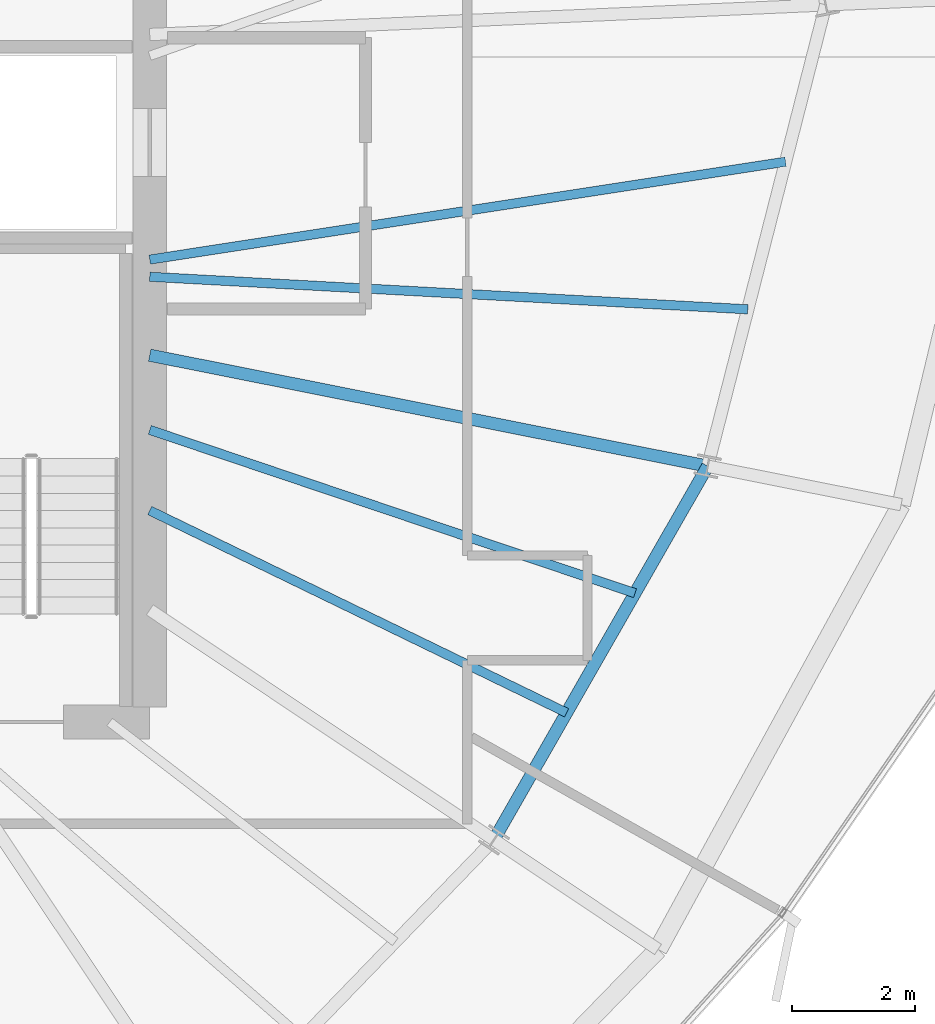
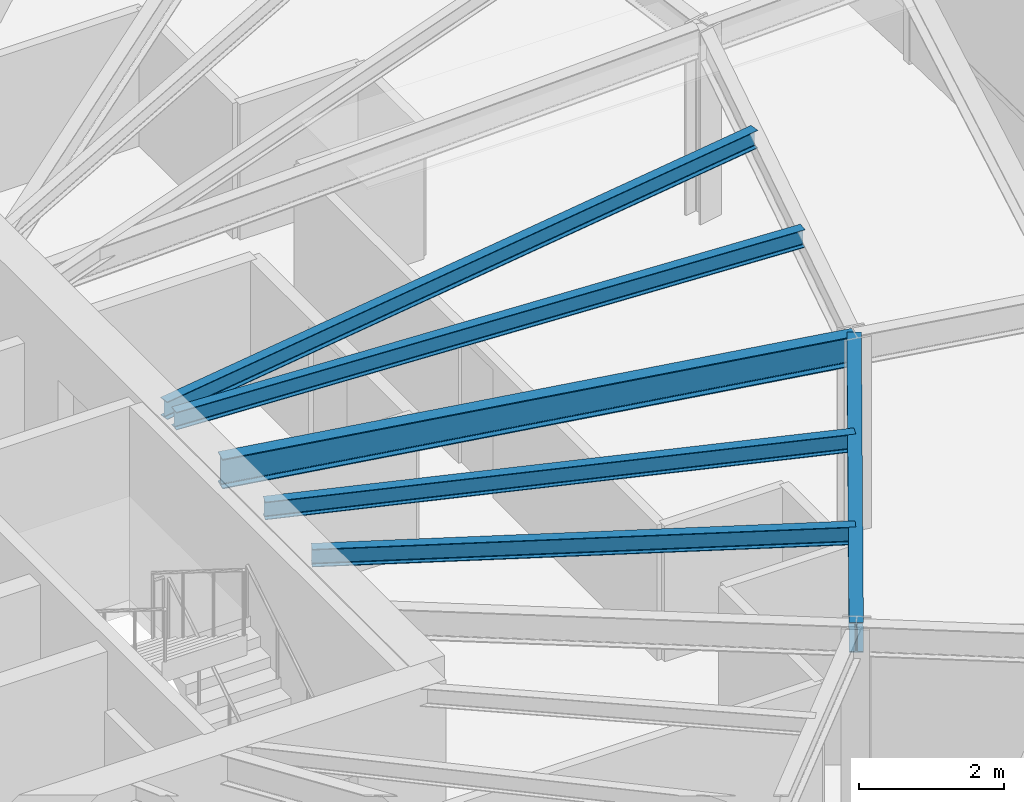
# One storey, part 16 of 35: 6 beams.
"""IFC4 building model written with IfcOpenShell, lengths in metres."""

from ifc_helpers import new_model, si_unit, direction, frame, origin, origin_2d, place, context, subcontext, project, spatial, i_section, extrude, source, transform, mapped, material, material_profile, profile_set, type_object, element, save


model = new_model("IFC4")

# Units and contexts
model_context = context("Model", 3, precision=1e-05, world=origin(), true_north=direction((0.0, 1.0)))
body_context = subcontext(model_context, "Body", "Model", "MODEL_VIEW")
ifc_project = project(units=[si_unit("LENGTHUNIT", "METRE"), si_unit("AREAUNIT", "SQUARE_METRE"), si_unit("VOLUMEUNIT", "CUBIC_METRE"), si_unit("PLANEANGLEUNIT", "RADIAN"), si_unit("MASSUNIT", "GRAM", prefix="KILO"), si_unit("THERMODYNAMICTEMPERATUREUNIT", "KELVIN")], contexts=[model_context])

# Site, building, storey
site_placement = place(None, origin())
site = spatial("IfcSite", under=ifc_project, at=site_placement, CompositionType="ELEMENT")
building_placement = place(site_placement, origin())
building = spatial("IfcBuilding", under=site, at=building_placement, Name="Kethvar Cultural Tower", CompositionType="ELEMENT")
storey_placement = place(building_placement, frame((0.0, 0.0, 179.89990234375)))
storey = spatial("IfcBuildingStorey", under=building, at=storey_placement, Name="L46", CompositionType="ELEMENT", Elevation=179.89990234375)

# Beams
ifc_material = material(Name="Steel S355J2", Category="steel")
ifc_material_profile_1 = material_profile(ifc_material, i_section(OverallWidth=0.199951171875, OverallDepth=0.5, WebThickness=0.01025390625, FlangeThickness=0.01611328125, FilletRadius=0.02099609375, at=origin_2d()), Name="Steel S355J2 — IPE500")
ifc_profile_set_1 = profile_set([ifc_material_profile_1], Name="Steel S355J2 — IPE500")
beam_type_1 = type_object("IfcBeamType", Name="BM-IPE500", PredefinedType="BEAM", material=ifc_profile_set_1)
shared_shape_1 = source(origin(), body_context, "Body", "SweptSolid", [
    extrude(i_section(OverallWidth=0.199951171875, OverallDepth=0.5, WebThickness=0.01025390625, FlangeThickness=0.01611328125, FilletRadius=0.02099609375, at=origin_2d()), origin(), (0.0, 0.0, 1.0), 9.225830078125),
])
beam_1_placement = place(storey_placement, frame((55.60009765625, 26.049560546875, 3.008056640625), z_axis=(0.980786744069, -0.195082963529, 0.0), x_axis=(0.195082963529, 0.980786744069, 0.0)))
element("IfcBeam", 1, at=beam_1_placement, inside=storey, type_object=beam_type_1, Name="L46 Primary Radial Beam RB-16", PredefinedType="BEAM", context=body_context, shape_type="MappedRepresentation", body=[
    mapped(shared_shape_1, transform((0.0, 0.0, 0.0), scale=1.0)),
])
shared_shape_2 = source(origin(), body_context, "Body", "SweptSolid", [
    extrude(i_section(OverallWidth=0.199951171875, OverallDepth=0.5, WebThickness=0.01025390625, FlangeThickness=0.01611328125, FilletRadius=0.02099609375, at=origin_2d()), origin(), (0.0, 0.0, 1.0), 6.98095703125),
])
beam_2_placement = place(storey_placement, frame((61.1826171875, 18.18994140625, 3.008056640625), z_axis=(0.496496686118, 0.868038617041, 0.0), x_axis=(-0.868038617041, 0.496496686118, 0.0)))
element("IfcBeam", 2, at=beam_2_placement, inside=storey, type_object=beam_type_1, Name="L46 Column Ring Tie Beam CR-15", PredefinedType="BEAM", context=body_context, shape_type="MappedRepresentation", body=[
    mapped(shared_shape_2, transform((0.0, 0.0, 0.0), scale=1.0)),
])
ifc_material_profile_2 = material_profile(ifc_material, i_section(OverallWidth=0.14990234375, OverallDepth=0.300048828125, WebThickness=0.007080078125, FlangeThickness=0.0107421875, FilletRadius=0.014892578125, at=origin_2d()), Name="Steel S355J2 — IPE300")
ifc_profile_set_2 = profile_set([ifc_material_profile_2], Name="Steel S355J2 — IPE300")
beam_type_2 = type_object("IfcBeamType", Name="BM-J300", PredefinedType="JOIST", material=ifc_profile_set_2)
shared_shape_3 = source(origin(), body_context, "Body", "SweptSolid", [
    extrude(i_section(OverallWidth=0.14990234375, OverallDepth=0.300048828125, WebThickness=0.007080078125, FlangeThickness=0.0107421875, FilletRadius=0.014892578125, at=origin_2d()), origin(), (0.0, 0.0, 1.0), 7.5146484375),
])
beam_3_placement = place(storey_placement, frame((55.60009765625, 23.530517578125, 3.108154296875), z_axis=(0.899698132091, -0.436512624229, 0.0), x_axis=(0.436512624229, 0.899698132091, 0.0)))
element("IfcBeam", 3, at=beam_3_placement, inside=storey, type_object=beam_type_2, Name="L46 Composite Floor Joist J-15A", PredefinedType="JOIST", context=body_context, shape_type="MappedRepresentation", body=[
    mapped(shared_shape_3, transform((0.0, 0.0, 0.0), scale=1.0)),
])
shared_shape_4 = source(origin(), body_context, "Body", "SweptSolid", [
    extrude(i_section(OverallWidth=0.14990234375, OverallDepth=0.300048828125, WebThickness=0.007080078125, FlangeThickness=0.0107421875, FilletRadius=0.014892578125, at=origin_2d()), origin(), (0.0, 0.0, 1.0), 8.303955078125),
])
beam_4_placement = place(storey_placement, frame((55.60009765625, 24.838134765625, 3.108154296875), z_axis=(0.94776496661, -0.318969540971, 0.0), x_axis=(0.318969540971, 0.94776496661, 0.0)))
element("IfcBeam", 4, at=beam_4_placement, inside=storey, type_object=beam_type_2, Name="L46 Composite Floor Joist J-15B", PredefinedType="JOIST", context=body_context, shape_type="MappedRepresentation", body=[
    mapped(shared_shape_4, transform((0.0, 0.0, 0.0), scale=1.0)),
])
shared_shape_5 = source(origin(), body_context, "Body", "SweptSolid", [
    extrude(i_section(OverallWidth=0.14990234375, OverallDepth=0.300048828125, WebThickness=0.007080078125, FlangeThickness=0.0107421875, FilletRadius=0.014892578125, at=origin_2d()), origin(), (0.0, 0.0, 1.0), 9.714111328125),
])
beam_5_placement = place(storey_placement, frame((55.60009765625, 27.3212890625, 3.108154296875), z_axis=(0.998522658081, -0.054336923906, 0.0), x_axis=(0.054336923906, 0.998522658081, 0.0)))
element("IfcBeam", 5, at=beam_5_placement, inside=storey, type_object=beam_type_2, Name="L46 Composite Floor Joist J-16A", PredefinedType="JOIST", context=body_context, shape_type="MappedRepresentation", body=[
    mapped(shared_shape_5, transform((0.0, 0.0, 0.0), scale=1.0)),
])
shared_shape_6 = source(origin(), body_context, "Body", "SweptSolid", [
    extrude(i_section(OverallWidth=0.14990234375, OverallDepth=0.300048828125, WebThickness=0.007080078125, FlangeThickness=0.0107421875, FilletRadius=0.014892578125, at=origin_2d()), origin(), (0.0, 0.0, 1.0), 10.43408203125),
])
beam_6_placement = place(storey_placement, frame((55.60009765625, 27.60009765625, 3.108154296875), z_axis=(0.988359792691, 0.152134546343, 0.0), x_axis=(-0.152134546343, 0.988359792691, 0.0)))
element("IfcBeam", 6, at=beam_6_placement, inside=storey, type_object=beam_type_2, Name="L46 Composite Floor Joist J-16B", PredefinedType="JOIST", context=body_context, shape_type="MappedRepresentation", body=[
    mapped(shared_shape_6, transform((0.0, 0.0, 0.0), scale=1.0)),
])

save(model, "model.ifc")
